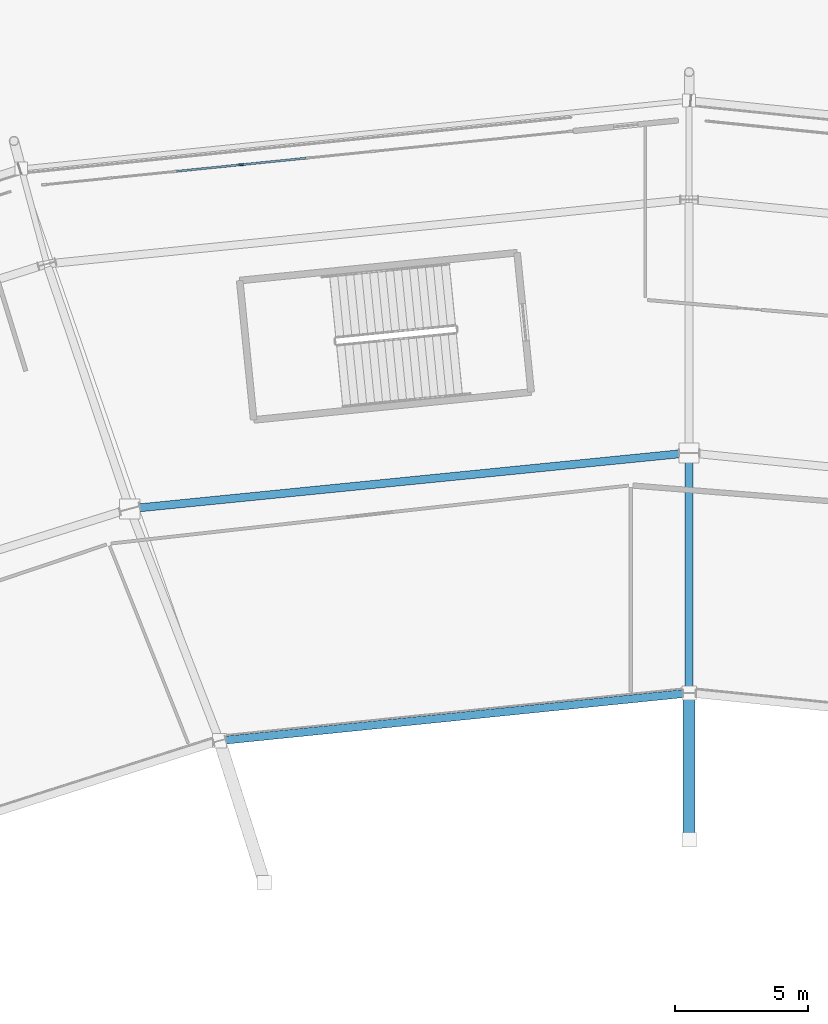
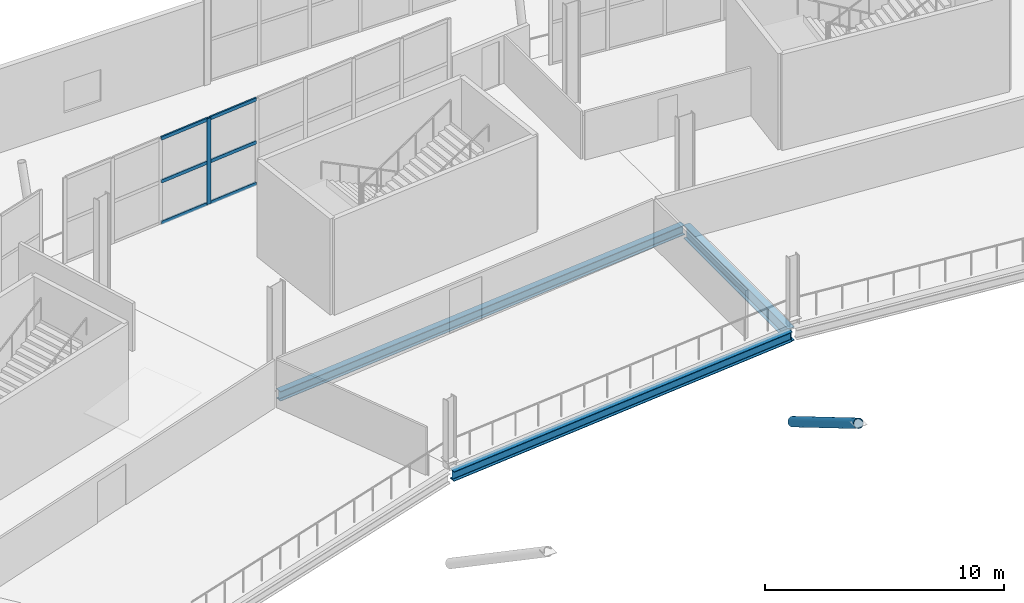
# One storey, part 68 of 168: 8 members, 3 beams, 1 element without a shape of its own.
"""IFC4 building model written with IfcOpenShell, lengths in metres."""

from ifc_helpers import new_model, si_unit, direction, frame, origin, origin_2d, place, context, subcontext, project, spatial, rectangle, hollow_circle, i_section, extrude, material, material_profile, profile_set, type_object, element, aggregate, save


model = new_model("IFC4")

# Units and contexts
model_context = context("Model", 3, precision=1e-05, world=origin(), true_north=direction((0.0, 1.0)))
body_context = subcontext(model_context, "Body", "Model", "MODEL_VIEW")
ifc_project = project(units=[si_unit("LENGTHUNIT", "METRE"), si_unit("AREAUNIT", "SQUARE_METRE"), si_unit("VOLUMEUNIT", "CUBIC_METRE"), si_unit("PLANEANGLEUNIT", "RADIAN"), si_unit("MASSUNIT", "GRAM", prefix="KILO")], contexts=[model_context])

# Site, building, storey
site_placement = place(None, origin())
site = spatial("IfcSite", under=ifc_project, at=site_placement, CompositionType="ELEMENT")
building_placement = place(site_placement, origin())
building = spatial("IfcBuilding", under=site, at=building_placement, Name="Zlatoyarsky Gate Stadium", CompositionType="ELEMENT")
storey_placement = place(building_placement, frame((0.0, 0.0, 15.60009765625)))
storey = spatial("IfcBuildingStorey", under=building, at=storey_placement, Name="L03", CompositionType="ELEMENT", Elevation=15.60009765625)

# Curtain wall, members
ifc_material_1 = material(Name="Thermally broken anodised aluminium curtain wall", Category="aluminium")
curtain_wall_type = type_object("IfcCurtainWallType", Name="MONUMENTAL ARCHED GATE GLAZING UPPER", PredefinedType="USERDEFINED", material=ifc_material_1)
curtain_wall_placement = place(storey_placement, origin())
curtain_wall = element("IfcCurtainWall", 1, at=curtain_wall_placement, inside=storey, type_object=curtain_wall_type, Name="Curtain wall CW-L03-06", ObjectType="ARCHED GATE GLAZING", PredefinedType="USERDEFINED")
ifc_material_2 = material(Name="Anodised aluminium 6063-T6", Category="aluminium")
ifc_material_profile_1 = material_profile(ifc_material_2, rectangle(XDim=0.074951171875, YDim=0.18994140625, at=origin_2d()), Name="ALU 75X190")
ifc_profile_set_1 = profile_set([ifc_material_profile_1], Name="Anodised aluminium 6063-T6")
member_type_1 = type_object("IfcMemberType", Name="ALUMINIUM GATE MULLION 75X190", PredefinedType="MULLION", material=ifc_profile_set_1)
member_1_placement = place(storey_placement, frame((94.21435546875, 152.298828125, 0.0), z_axis=(0.0, 0.0, 1.0), x_axis=(0.100967231657, -0.994889751747, 0.0)))
member_1 = element("IfcMember", 2, at=member_1_placement, type_object=member_type_1, Name="CW-AG2 mullion 6", PredefinedType="MULLION", context=body_context, shape_type="SweptSolid", body=[
    extrude(rectangle(XDim=0.074951171875, YDim=0.18994140625, at=origin_2d()), origin(), (0.0, 0.0, 1.0), 4.3798828125),
])
ifc_material_profile_2 = material_profile(ifc_material_2, rectangle(XDim=0.074951171875, YDim=0.169921875, at=origin_2d()), Name="ALU 75X170")
ifc_profile_set_2 = profile_set([ifc_material_profile_2], Name="Anodised aluminium 6063-T6")
member_type_2 = type_object("IfcMemberType", Name="ALUMINIUM GATE TRANSOM 75X170", PredefinedType="USERDEFINED", material=ifc_profile_set_2)
member_2_placement = place(storey_placement, frame((96.648681640625, 152.545654296875, 0.037353515625), z_axis=(-0.994893701194, -0.100928307842, 0.0), x_axis=(0.100928307842, -0.994893701194, 0.0)))
member_2 = element("IfcMember", 3, at=member_2_placement, type_object=member_type_2, Name="CW-AG2 transom 5.1", ObjectType="TRANSOM", PredefinedType="USERDEFINED", context=body_context, shape_type="SweptSolid", body=[
    extrude(rectangle(XDim=0.074951171875, YDim=0.169921875, at=origin_2d()), origin(), (0.0, 0.0, 1.0), 2.4091796875),
])
member_3_placement = place(storey_placement, frame((96.648681640625, 152.545654296875, 2.14990234375), z_axis=(-0.994893701194, -0.100928307842, 0.0), x_axis=(0.100928307842, -0.994893701194, 0.0)))
member_3 = element("IfcMember", 4, at=member_3_placement, type_object=member_type_2, Name="CW-AG2 transom 5.2", ObjectType="TRANSOM", PredefinedType="USERDEFINED", context=body_context, shape_type="SweptSolid", body=[
    extrude(rectangle(XDim=0.074951171875, YDim=0.169921875, at=origin_2d()), origin(), (0.0, 0.0, 1.0), 2.4091796875),
])
member_4_placement = place(storey_placement, frame((96.648681640625, 152.545654296875, 4.34228515625), z_axis=(-0.994893701194, -0.100928307842, 0.0), x_axis=(0.100928307842, -0.994893701194, 0.0)))
member_4 = element("IfcMember", 5, at=member_4_placement, type_object=member_type_2, Name="CW-AG2 transom 5.3", ObjectType="TRANSOM", PredefinedType="USERDEFINED", context=body_context, shape_type="SweptSolid", body=[
    extrude(rectangle(XDim=0.074951171875, YDim=0.169921875, at=origin_2d()), origin(), (0.0, 0.0, 1.0), 2.4091796875),
])
member_5_placement = place(storey_placement, frame((94.17724609375, 152.294921875, 0.037353515625), z_axis=(-0.994894733276, -0.100918133653, 0.0), x_axis=(0.100918133653, -0.994894733276, 0.0)))
member_5 = element("IfcMember", 6, at=member_5_placement, type_object=member_type_2, Name="CW-AG2 transom 6.1", ObjectType="TRANSOM", PredefinedType="USERDEFINED", context=body_context, shape_type="SweptSolid", body=[
    extrude(rectangle(XDim=0.074951171875, YDim=0.169921875, at=origin_2d()), origin(), (0.0, 0.0, 1.0), 2.409423828125),
])
member_6_placement = place(storey_placement, frame((94.17724609375, 152.294921875, 2.14990234375), z_axis=(-0.994894733276, -0.100918133653, 0.0), x_axis=(0.100918133653, -0.994894733276, 0.0)))
member_6 = element("IfcMember", 7, at=member_6_placement, type_object=member_type_2, Name="CW-AG2 transom 6.2", ObjectType="TRANSOM", PredefinedType="USERDEFINED", context=body_context, shape_type="SweptSolid", body=[
    extrude(rectangle(XDim=0.074951171875, YDim=0.169921875, at=origin_2d()), origin(), (0.0, 0.0, 1.0), 2.409423828125),
])
member_7_placement = place(storey_placement, frame((94.17724609375, 152.294921875, 4.34228515625), z_axis=(-0.994894733276, -0.100918133653, 0.0), x_axis=(0.100918133653, -0.994894733276, 0.0)))
member_7 = element("IfcMember", 8, at=member_7_placement, type_object=member_type_2, Name="CW-AG2 transom 6.3", ObjectType="TRANSOM", PredefinedType="USERDEFINED", context=body_context, shape_type="SweptSolid", body=[
    extrude(rectangle(XDim=0.074951171875, YDim=0.169921875, at=origin_2d()), origin(), (0.0, 0.0, 1.0), 2.409423828125),
])
aggregate(curtain_wall, [member_1, member_2, member_3, member_4, member_5, member_6, member_7])

# Member
ifc_material_3 = material(Name="Steel S355", Category="steel")
ifc_material_profile_3 = material_profile(ifc_material_3, hollow_circle(Radius=0.228515625, WallThickness=0.02490234375, at=origin_2d()), Name="CHS 457X25")
ifc_profile_set_3 = profile_set([ifc_material_profile_3], Name="Steel S355")
member_type_3 = type_object("IfcMemberType", Name="STEEL BACKSPAN TIE STRUT CHS 457X25", PredefinedType="STRUT", material=ifc_profile_set_3)
member_8_placement = place(storey_placement, frame((111.0, 132.5, -5.0), z_axis=(0.0, -0.860926528214, 0.508729312127), x_axis=(1.0, 0.0, 0.0)))
element("IfcMember", 9, at=member_8_placement, inside=storey, type_object=member_type_3, Name="Upper tier cantilever strut 06", PredefinedType="STRUT", context=body_context, shape_type="SweptSolid", body=[
    extrude(hollow_circle(Radius=0.228515625, WallThickness=0.02490234375, at=origin_2d()), origin(), (0.0, 0.0, 1.0), 6.388427734375),
])

# Beams
ifc_material_profile_4 = material_profile(ifc_material_3, i_section(OverallWidth=0.300048828125, OverallDepth=0.5, WebThickness=0.014404296875, FlangeThickness=0.028076171875, FilletRadius=0.027099609375, at=origin_2d()), Name="HEB 500")
ifc_profile_set_4 = profile_set([ifc_material_profile_4], Name="Steel S355")
beam_type_1 = type_object("IfcBeamType", Name="STEEL PRIMARY GIRDER HEB 500", PredefinedType="BEAM", material=ifc_profile_set_4)
beam_1_placement = place(storey_placement, frame((110.880615234375, 132.48779296875, -0.530029296875), z_axis=(-0.994873800639, -0.101124283941, 0.0), x_axis=(0.101124283941, -0.994873800639, 0.0)))
element("IfcBeam", 10, at=beam_1_placement, inside=storey, type_object=beam_type_1, Name="Beam G-HEB500 BM-L03-CRA-06", PredefinedType="BEAM", context=body_context, shape_type="SweptSolid", body=[
    extrude(i_section(OverallWidth=0.300048828125, OverallDepth=0.5, WebThickness=0.014404296875, FlangeThickness=0.028076171875, FilletRadius=0.027099609375, at=origin_2d()), origin(), (0.0, 0.0, 1.0), 17.4501953125),
])
beam_2_placement = place(storey_placement, frame((110.880615234375, 141.488037109375, -0.530029296875), z_axis=(-0.995040903182, -0.099466582298, 0.0), x_axis=(0.099466582298, -0.995040903182, 0.0)))
element("IfcBeam", 11, at=beam_2_placement, inside=storey, type_object=beam_type_1, Name="Beam G-HEB500 BM-L03-CRB-06", PredefinedType="BEAM", context=body_context, shape_type="SweptSolid", body=[
    extrude(i_section(OverallWidth=0.300048828125, OverallDepth=0.5, WebThickness=0.014404296875, FlangeThickness=0.028076171875, FilletRadius=0.027099609375, at=origin_2d()), origin(), (0.0, 0.0, 1.0), 20.828857421875),
])
ifc_material_profile_5 = material_profile(ifc_material_3, i_section(OverallWidth=0.300048828125, OverallDepth=0.699951171875, WebThickness=0.01708984375, FlangeThickness=0.031982421875, FilletRadius=0.027099609375, at=origin_2d()), Name="HEB 700")
ifc_profile_set_5 = profile_set([ifc_material_profile_5], Name="Steel S355")
beam_type_2 = type_object("IfcBeamType", Name="STEEL PRIMARY GIRDER HEB 700", PredefinedType="BEAM", material=ifc_profile_set_5)
beam_3_placement = place(storey_placement, frame((111.0, 132.6201171875, -0.630126953125), z_axis=(0.0, 1.0, 0.0), x_axis=(-1.0, 0.0, 0.0)))
element("IfcBeam", 12, at=beam_3_placement, inside=storey, type_object=beam_type_2, Name="Beam G-HEB700 BM-L03-RAB-06", PredefinedType="BEAM", context=body_context, shape_type="SweptSolid", body=[
    extrude(i_section(OverallWidth=0.300048828125, OverallDepth=0.699951171875, WebThickness=0.01708984375, FlangeThickness=0.031982421875, FilletRadius=0.027099609375, at=origin_2d()), origin(), (0.0, 0.0, 1.0), 8.759765625),
])

save(model, "model.ifc")
